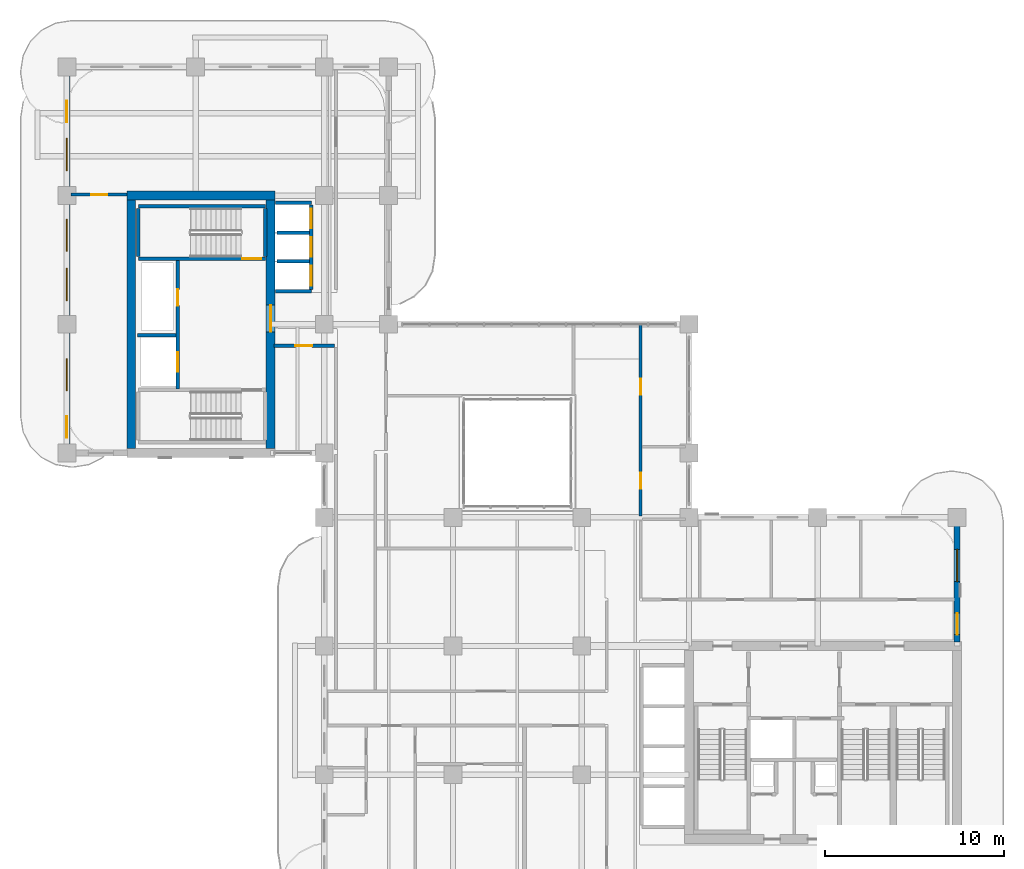
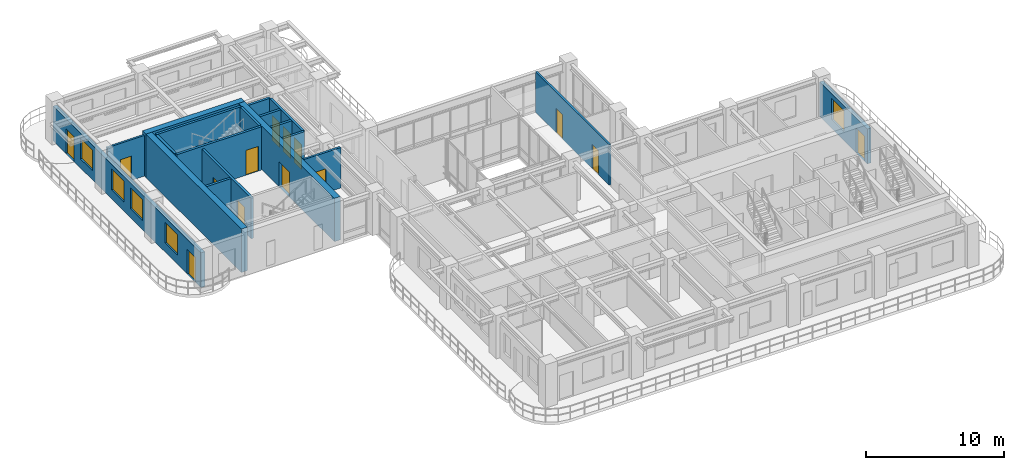
# One storey, part 14 of 20: 19 walls, 14 doors, 5 windows, 19 openings.
"""IFC4 building model written with IfcOpenShell, lengths in metres."""

import ifcopenshell
import ifcopenshell.guid

model = None  # the IFC model being written
_history = None  # IfcOwnerHistory: only IFC2X3 demands one
_inside = {}  # id of a spatial element -> (the spatial element, [elements in it])
_under = {}  # id of a project, library or spatial element -> (it, [spatial elements below it])
_declared = {}  # id of a project -> (the project, [libraries it declares])
_typed = {}  # id of a type object -> (the type object, [elements of that type])
_made_of = {}  # id of a material, layer set ... -> (it, [elements and type objects made of it])


def new_model(schema):
    """Start an empty IFC model of exactly this schema.

    Asked for "IFC4X3", IfcOpenShell would pick the latest addendum, in which some entities
    have other attributes; the version numbers below select the first issue.
    IFC2X3 requires an IfcOwnerHistory on every rooted entity: one is made here for all.
    """
    global model, _history
    if schema == "IFC4X3":
        model = ifcopenshell.file(schema_version=(4, 3, 0, 0))
    else:
        model = ifcopenshell.file(schema=schema)
    _inside.clear()
    _under.clear()
    _declared.clear()
    _typed.clear()
    _made_of.clear()
    _history = None
    if model.schema == "IFC2X3":
        org = make("IfcOrganization", Name="unknown")
        user = make(
            "IfcPersonAndOrganization",
            ThePerson=make("IfcPerson", FamilyName="unknown"),
            TheOrganization=org,
        )
        app = make(
            "IfcApplication",
            ApplicationDeveloper=org,
            Version="unknown",
            ApplicationFullName="unknown",
            ApplicationIdentifier="unknown",
        )
        _history = make(
            "IfcOwnerHistory",
            OwningUser=user,
            OwningApplication=app,
            ChangeAction="ADDED",
            CreationDate=0,
        )
    return model


def make(cls, **values):
    """One entity of the class cls with the attributes given. An attribute that is None is left unset."""
    return model.create_entity(
        cls, **{name: value for name, value in values.items() if value is not None}
    )


def rooted(cls, **values):
    """An entity with a GlobalId (a new one), such as an element, a storey or a relation."""
    return make(cls, GlobalId=ifcopenshell.guid.new(), OwnerHistory=_history, **values)


def si_unit(unit_type, name, prefix=None):
    """IfcSIUnit, for example si_unit("LENGTHUNIT", "METRE", prefix="MILLI")."""
    return make("IfcSIUnit", UnitType=unit_type, Prefix=prefix, Name=name)


def derived_unit(unit_type, elements):
    """IfcDerivedUnit: a product of units, each with its exponent."""
    return make(
        "IfcDerivedUnit",
        Elements=[
            make("IfcDerivedUnitElement", Unit=unit, Exponent=power)
            for unit, power in elements
        ],
        UnitType=unit_type,
    )


def assignment(units):
    """IfcUnitAssignment: the units of a project."""
    return None if units is None else make("IfcUnitAssignment", Units=units)


def point(xyz):
    """IfcCartesianPoint."""
    return None if xyz is None else make("IfcCartesianPoint", Coordinates=xyz)


def direction(xyz):
    """IfcDirection."""
    return None if xyz is None else make("IfcDirection", DirectionRatios=xyz)


def frame(location, z_axis=None, x_axis=None):
    """IfcAxis2Placement3D, a coordinate frame: its origin and axes. An axis left out is left unset."""
    return make(
        "IfcAxis2Placement3D",
        Location=point(location),
        Axis=direction(z_axis),
        RefDirection=direction(x_axis),
    )


def frame_2d(location, x_axis=None):
    """IfcAxis2Placement2D, a coordinate frame in the plane: its origin and x axis."""
    return make(
        "IfcAxis2Placement2D", Location=point(location), RefDirection=direction(x_axis)
    )


def origin():
    """The frame at (0, 0, 0) with its axes left unset."""
    return frame((0.0, 0.0, 0.0))


def place(relative_to, where):
    """IfcLocalPlacement: puts the frame where relative to a parent placement (None: the world)."""
    return make(
        "IfcLocalPlacement", PlacementRelTo=relative_to, RelativePlacement=where
    )


def context(
    kind, dimensions, precision=None, world=None, true_north=None, identifier=None
):
    """IfcGeometricRepresentationContext, for example the 3D "Model" context."""
    return make(
        "IfcGeometricRepresentationContext",
        ContextIdentifier=identifier,
        ContextType=kind,
        CoordinateSpaceDimension=dimensions,
        Precision=precision,
        WorldCoordinateSystem=world,
        TrueNorth=true_north,
    )


def subcontext(parent, identifier, kind, view, scale=None):
    """IfcGeometricRepresentationSubContext, for example "Body" below "Model"."""
    return make(
        "IfcGeometricRepresentationSubContext",
        ContextIdentifier=identifier,
        ContextType=kind,
        ParentContext=parent,
        TargetScale=scale,
        TargetView=view,
    )


def project(units=None, contexts=None):
    """IfcProject with its units and contexts."""
    return rooted(
        "IfcProject",
        Name="project",
        RepresentationContexts=contexts,
        UnitsInContext=assignment(units),
    )


def spatial(cls, under=None, at=None, **own):
    """A site, building, storey or space (cls), placed at a placement, below another one or the project."""
    s = rooted(cls, ObjectPlacement=at, **own)
    if under is not None:
        _under.setdefault(under.id(), (under, []))[1].append(s)
    return s


def profile(cls, at=None, kind="AREA", **sizes):
    """A parametric profile (cls). Its sizes go by their IFC names, for example OverallWidth=200.0."""
    return make(cls, ProfileType=kind, Position=at, **sizes)


def rectangle(**sizes):
    """IfcRectangleProfileDef."""
    return profile("IfcRectangleProfileDef", **sizes)


def extrude(swept, where, along, depth):
    """IfcExtrudedAreaSolid: the profile swept, set in the frame where, extruded along a direction by depth."""
    return make(
        "IfcExtrudedAreaSolid",
        SweptArea=swept,
        Position=where,
        ExtrudedDirection=direction(along),
        Depth=depth,
    )


def shape(context_of_items, identifier, shape_type, items):
    """IfcShapeRepresentation: the items that make up one representation, for example the "Body"."""
    return make(
        "IfcShapeRepresentation",
        ContextOfItems=context_of_items,
        RepresentationIdentifier=identifier,
        RepresentationType=shape_type,
        Items=items,
    )


def source(mapping_origin, context_of_items, identifier, shape_type, items):
    """IfcRepresentationMap: a shape defined once, which mapped items show again and again."""
    return make(
        "IfcRepresentationMap",
        MappingOrigin=mapping_origin,
        MappedRepresentation=shape(context_of_items, identifier, shape_type, items),
    )


def transform(
    local_origin,
    x_axis=None,
    y_axis=None,
    z_axis=None,
    scale=None,
    scale2=None,
    scale3=None,
    uniform=True,
):
    """IfcCartesianTransformationOperator3D, or its non-uniform kind. x_axis, y_axis, z_axis: its Axis1, 2, 3."""
    if uniform:
        return make(
            "IfcCartesianTransformationOperator3D",
            Axis1=direction(x_axis),
            Axis2=direction(y_axis),
            LocalOrigin=point(local_origin),
            Scale=scale,
            Axis3=direction(z_axis),
        )
    return make(
        "IfcCartesianTransformationOperator3DnonUniform",
        Axis1=direction(x_axis),
        Axis2=direction(y_axis),
        LocalOrigin=point(local_origin),
        Scale=scale,
        Axis3=direction(z_axis),
        Scale2=scale2,
        Scale3=scale3,
    )


def mapped(mapping_source, mapping_target):
    """IfcMappedItem: shows the shape of a source again, moved by a transform."""
    return make(
        "IfcMappedItem", MappingSource=mapping_source, MappingTarget=mapping_target
    )


def material(Name=None, Category=None):
    """IfcMaterial."""
    return make("IfcMaterial", Name=Name, Category=Category)


def layer(
    of_material, thickness, ventilated=None, Name=None, Category=None, Priority=None
):
    """IfcMaterialLayer: one layer of a wall or slab, of a material (None: an air gap)."""
    return make(
        "IfcMaterialLayer",
        Material=of_material,
        LayerThickness=thickness,
        IsVentilated=ventilated,
        Name=Name,
        Category=Category,
        Priority=Priority,
    )


def layer_set(layers, Name=None):
    """IfcMaterialLayerSet."""
    return make("IfcMaterialLayerSet", MaterialLayers=layers, LayerSetName=Name)


def made_of(thing, what):
    """Note that an element or type object is made of a material, layer set ...; save() writes the relation."""
    if what is not None:
        _made_of.setdefault(what.id(), (what, []))[1].append(thing)
    return thing


def type_object(cls, material=None, **own):
    """A type object (cls), such as IfcWallType, which elements share."""
    return made_of(rooted(cls, **own), material)


def type_shapes(of_type, sources):
    """Give a type object the sources (RepresentationMaps) that its elements show as mapped items."""
    of_type.RepresentationMaps = sources


def element(
    cls,
    number,
    at=None,
    inside=None,
    cuts=None,
    type_object=None,
    material=None,
    context=None,
    identifier="Body",
    shape_type=None,
    held_by="IfcProductDefinitionShape",
    body=None,
    shapes=None,
    **own,
):
    """One element of the class cls, such as IfcWall. Its Tag is "e" and its number.

    at: its placement. inside: the storey or other place that contains it. cuts: it is an
    opening in that element (IfcRelVoidsElement). A single representation is given by context,
    identifier, shape_type and body (its items); several are given by shapes. held_by: the class
    of the entity that holds the representations. save() writes the other relations.
    """
    e = rooted(cls, Tag="e%d" % number, ObjectPlacement=at, **own)
    if body is not None:
        shapes = [shape(context, identifier, shape_type, body)]
    if shapes is not None:
        e.Representation = make(held_by, Representations=shapes)
    if inside is not None:
        _inside.setdefault(inside.id(), (inside, []))[1].append(e)
    if cuts is not None:
        rooted(
            "IfcRelVoidsElement", RelatingBuildingElement=cuts, RelatedOpeningElement=e
        )
    if type_object is not None:
        _typed.setdefault(type_object.id(), (type_object, []))[1].append(e)
    return made_of(e, material)


def fill(opening, filler):
    """IfcRelFillsElement: the door or window that sits in an opening."""
    return rooted(
        "IfcRelFillsElement",
        RelatingOpeningElement=opening,
        RelatedBuildingElement=filler,
    )


def aggregate(whole, parts):
    """IfcRelAggregates: a whole, such as a stair, and the parts it consists of."""
    return rooted("IfcRelAggregates", RelatingObject=whole, RelatedObjects=parts)


def save(model, path):
    """Write the relations noted so far, then the file.

    IfcRelAggregates (storeys below a building ...), IfcRelContainedInSpatialStructure (elements
    in a storey), IfcRelDefinesByType, IfcRelAssociatesMaterial and IfcRelDeclares: one each for
    every whole, place, type object, material and project.
    """
    for whole, parts in _under.values():
        aggregate(whole, parts)
    for where, things in _inside.values():
        rooted(
            "IfcRelContainedInSpatialStructure",
            RelatedElements=things,
            RelatingStructure=where,
        )
    for kind, things in _typed.values():
        rooted("IfcRelDefinesByType", RelatedObjects=things, RelatingType=kind)
    for what, things in _made_of.values():
        rooted("IfcRelAssociatesMaterial", RelatedObjects=things, RelatingMaterial=what)
    for by, libraries in _declared.values():
        rooted("IfcRelDeclares", RelatingContext=by, RelatedDefinitions=libraries)
    model.write(path)


model = new_model("IFC4")

# Units and contexts
model_context = context("Model", 3, precision=1e-05, world=origin(), true_north=direction((0.0, 1.0)))
body_context = subcontext(model_context, "Body", "Model", "MODEL_VIEW")
ifc_project = project(units=[si_unit("LENGTHUNIT", "METRE"), si_unit("AREAUNIT", "SQUARE_METRE"), si_unit("VOLUMEUNIT", "CUBIC_METRE"), si_unit("PLANEANGLEUNIT", "RADIAN"), si_unit("MASSUNIT", "GRAM", prefix="KILO"), si_unit("THERMODYNAMICTEMPERATUREUNIT", "KELVIN"), si_unit("POWERUNIT", "WATT"), derived_unit("THERMALTRANSMITTANCEUNIT", [(si_unit("POWERUNIT", "WATT"), 1), (si_unit("AREAUNIT", "SQUARE_METRE"), -1), (si_unit("THERMODYNAMICTEMPERATUREUNIT", "KELVIN"), -1)])], contexts=[model_context])

# Site, building, storey
site_placement = place(None, origin())
site = spatial("IfcSite", under=ifc_project, at=site_placement, CompositionType="ELEMENT")
building_placement = place(site_placement, origin())
building = spatial("IfcBuilding", under=site, at=building_placement, Name="Zahravan Archway Hotel and Residences", CompositionType="ELEMENT")
storey_placement = place(building_placement, frame((0.0, 0.0, 154.14990234375)))
storey = spatial("IfcBuildingStorey", under=building, at=storey_placement, Name="L38", CompositionType="ELEMENT", Elevation=154.14990234375)

# Walls
ifc_material_1 = material(Name="Concrete C60/75", Category="concrete")
ifc_layer_1 = layer(ifc_material_1, 0.5, Name="Concrete C60/75", Category="concrete")
ifc_layer_set_1 = layer_set([ifc_layer_1], Name="Concrete C60/75")
wall_type_1 = type_object("IfcWallType", Name="CW-CORE-500", PredefinedType="SHEAR", material=ifc_layer_set_1)
wall_1_placement = place(storey_placement, frame((3.35009765625, 39.60009765625, 0.0), z_axis=(0.0, 0.0, 1.0), x_axis=(1.0, 0.0, 0.0)))
element("IfcWall", 1, at=wall_1_placement, inside=storey, type_object=wall_type_1, Name="L38 Core B Shear N Wall 500 mm", PredefinedType="SHEAR", context=body_context, shape_type="SweptSolid", body=[
    extrude(rectangle(XDim=8.2998046875, YDim=0.5, at=frame_2d((4.14990234375, 0.0))), origin(), (0.0, 0.0, 1.0), 3.85009765625),
])
wall_2_placement = place(storey_placement, frame((3.60009765625, 25.449951171875, 0.0), z_axis=(0.0, 0.0, 1.0), x_axis=(0.0, 1.0, 0.0)))
element("IfcWall", 2, at=wall_2_placement, inside=storey, type_object=wall_type_1, Name="L38 Core B Shear W Wall 500 mm", PredefinedType="SHEAR", context=body_context, shape_type="SweptSolid", body=[
    extrude(rectangle(XDim=13.900146484375, YDim=0.5, at=frame_2d((6.9501953125, 0.0))), origin(), (0.0, 0.0, 1.0), 3.85009765625),
])

# Wall, opening, door
wall_3_placement = place(storey_placement, frame((11.39990234375, 25.449951171875, 0.0), z_axis=(0.0, 0.0, 1.0), x_axis=(0.0, 1.0, 0.0)))
wall_3 = element("IfcWall", 3, at=wall_3_placement, inside=storey, type_object=wall_type_1, Name="L38 Core B Shear E Wall 500 mm", PredefinedType="SHEAR", context=body_context, shape_type="SweptSolid", body=[
    extrude(rectangle(XDim=13.900146484375, YDim=0.5, at=frame_2d((6.9501953125, 0.0))), origin(), (0.0, 0.0, 1.0), 3.85009765625),
])
opening_1_placement = place(wall_3_placement, frame((6.52001953125, 0.0, 0.0)))
opening_1 = element("IfcOpeningElement", 4, at=opening_1_placement, cuts=wall_3, Name="Opening FD-L1", PredefinedType="OPENING", context=body_context, shape_type="SweptSolid", body=[
    extrude(rectangle(XDim=1.5, YDim=2.199951171875, at=frame_2d((0.75, 1.10009765625))), frame((0.0, 0.260009765625, 0.0), z_axis=(0.0, -1.0, 0.0), x_axis=(1.0, 0.0, 0.0)), (0.0, 0.0, 1.0), 0.52001953125),
])
ifc_material_2 = material(Name="Fire-Rated Painted Steel", Category="steel")
door_type_1 = type_object("IfcDoorType", Name="FD-LOBBY-1500", OperationType="DOUBLE_DOOR_SINGLE_SWING", PredefinedType="DOOR", material=ifc_material_2)
shared_shape_1 = source(origin(), body_context, "Body", "SweptSolid", [
    extrude(rectangle(XDim=1.5, YDim=2.199951171875, at=frame_2d((0.75, 1.10009765625))), frame((0.0, 0.02490234375, 0.0), z_axis=(0.0, -1.0, 0.0), x_axis=(1.0, 0.0, 0.0)), (0.0, 0.0, 1.0), 0.050048828125),
])
type_shapes(door_type_1, [shared_shape_1])
door_1_placement = place(opening_1_placement, origin())
door_1 = element("IfcDoor", 5, at=door_1_placement, inside=storey, type_object=door_type_1, Name="L38 Core B FSAE Lobby Door", OperationType="DOUBLE_DOOR_SINGLE_SWING", OverallHeight=2.199951171875, OverallWidth=1.5, PredefinedType="DOOR", context=body_context, shape_type="MappedRepresentation", body=[
    mapped(shared_shape_1, transform((0.0, 0.0, 0.0), scale=1.0)),
])
fill(opening_1, door_1)

# Wall, openings, door, window
ifc_material_3 = material(Name="Agra Buff Sandstone & Insulated Backup", Category="masonry")
ifc_layer_2 = layer(ifc_material_3, 0.320068359375, Name="Agra Buff Sandstone & Insulated Backup", Category="masonry")
ifc_layer_set_2 = layer_set([ifc_layer_2], Name="Agra Buff Sandstone & Insulated Backup")
wall_type_2 = type_object("IfcWallType", Name="EW-SAND-320", PredefinedType="SOLIDWALL", material=ifc_layer_set_2)
wall_4_placement = place(storey_placement, frame((49.800048828125, 14.6201171875, 0.0), z_axis=(0.0, 0.0, 1.0), x_axis=(0.0, 1.0, 0.0)))
wall_4 = element("IfcWall", 6, at=wall_4_placement, inside=storey, type_object=wall_type_2, Name="L38 Exterior Sandstone Wall WA-EN", PredefinedType="SOLIDWALL", context=body_context, shape_type="SweptSolid", body=[
    extrude(rectangle(XDim=6.929931640625, YDim=0.320068359375, at=frame_2d((3.46484375, 0.0))), origin(), (0.0, 0.0, 1.0), 3.085205078125),
])
opening_2_placement = place(wall_4_placement, frame((0.419921875, 0.0, 0.0)))
opening_2 = element("IfcOpeningElement", 7, at=opening_2_placement, cuts=wall_4, Name="Opening ED-BL1", PredefinedType="OPENING", context=body_context, shape_type="SweptSolid", body=[
    extrude(rectangle(XDim=1.199951171875, YDim=2.199951171875, at=frame_2d((0.60009765625, 1.10009765625))), frame((0.0, 0.169921875, 0.0), z_axis=(0.0, -1.0, 0.0), x_axis=(1.0, 0.0, 0.0)), (0.0, 0.0, 1.0), 0.340087890625),
])
opening_3_placement = place(wall_4_placement, frame((3.384033203125, 0.0, 0.800048828125)))
opening_3 = element("IfcOpeningElement", 8, at=opening_3_placement, cuts=wall_4, Name="Opening W-02", PredefinedType="OPENING", context=body_context, shape_type="SweptSolid", body=[
    extrude(rectangle(XDim=1.800048828125, YDim=1.85009765625, at=frame_2d((0.89990234375, 0.925048828125))), frame((0.0, 0.169921875, 0.0), z_axis=(0.0, -1.0, 0.0), x_axis=(1.0, 0.0, 0.0)), (0.0, 0.0, 1.0), 0.340087890625),
])
ifc_material_4 = material(Name="Bronze-Anodized Glazed Aluminium", Category="aluminium")
door_type_2 = type_object("IfcDoorType", Name="ED-BALC-1200", OperationType="SLIDING_TO_LEFT", PredefinedType="DOOR", material=ifc_material_4)
shared_shape_2 = source(origin(), body_context, "Body", "SweptSolid", [
    extrude(rectangle(XDim=1.199951171875, YDim=2.199951171875, at=frame_2d((0.60009765625, 1.10009765625))), frame((0.0, 0.02490234375, 0.0), z_axis=(0.0, -1.0, 0.0), x_axis=(1.0, 0.0, 0.0)), (0.0, 0.0, 1.0), 0.050048828125),
])
type_shapes(door_type_2, [shared_shape_2])
door_2_placement = place(opening_2_placement, origin())
door_2 = element("IfcDoor", 9, at=door_2_placement, inside=storey, type_object=door_type_2, Name="L38 Outdoor Access Sliding Door (SLB-BAL-L38-EA)", OperationType="SLIDING_TO_LEFT", OverallHeight=2.199951171875, OverallWidth=1.199951171875, PredefinedType="DOOR", context=body_context, shape_type="MappedRepresentation", body=[
    mapped(shared_shape_2, transform((0.0, 0.0, 0.0), scale=1.0)),
])
fill(opening_2, door_2)
ifc_material_5 = material(Name="Bronze-Anodized Thermal-Break Aluminium & Low-E Glass", Category="aluminium")
window_type = type_object("IfcWindowType", Name="WIN-TWR-1800", PartitioningType="DOUBLE_PANEL_VERTICAL", PredefinedType="WINDOW", material=ifc_material_5)
shared_shape_3 = source(origin(), body_context, "Body", "SweptSolid", [
    extrude(rectangle(XDim=1.800048828125, YDim=1.85009765625, at=frame_2d((0.89990234375, 0.925048828125))), frame((0.0, 0.030029296875, 0.0), z_axis=(0.0, -1.0, 0.0), x_axis=(1.0, 0.0, 0.0)), (0.0, 0.0, 1.0), 0.06005859375),
])
type_shapes(window_type, [shared_shape_3])
window_1_placement = place(opening_3_placement, origin())
window_1 = element("IfcWindow", 10, at=window_1_placement, inside=storey, type_object=window_type, Name="L38 Loggia Window 10", OverallHeight=1.85009765625, OverallWidth=1.800048828125, PartitioningType="DOUBLE_PANEL_VERTICAL", PredefinedType="WINDOW", context=body_context, shape_type="MappedRepresentation", body=[
    mapped(shared_shape_3, transform((0.0, 0.0, 0.0), scale=1.0)),
])
fill(opening_3, window_1)

# Wall, openings, doors, windows
wall_5_placement = place(storey_placement, frame((0.0, 25.25, 0.0), z_axis=(0.0, 0.0, 1.0), x_axis=(0.0, 1.0, 0.0)))
wall_5 = element("IfcWall", 11, at=wall_5_placement, inside=storey, type_object=wall_type_2, Name="L38 Exterior Sandstone Wall WB-W", PredefinedType="SOLIDWALL", context=body_context, shape_type="SweptSolid", body=[
    extrude(rectangle(XDim=21.5, YDim=0.320068359375, at=frame_2d((10.75, 0.0))), origin(), (0.0, 0.0, 1.0), 3.085205078125),
])
opening_4_placement = place(wall_5_placement, frame((18.449951171875, 0.0, 0.0)))
opening_4 = element("IfcOpeningElement", 12, at=opening_4_placement, cuts=wall_5, Name="Opening ED-BL1", PredefinedType="OPENING", context=body_context, shape_type="SweptSolid", body=[
    extrude(rectangle(XDim=1.199951171875, YDim=2.199951171875, at=frame_2d((0.60009765625, 1.10009765625))), frame((0.0, 0.169921875, 0.0), z_axis=(0.0, -1.0, 0.0), x_axis=(1.0, 0.0, 0.0)), (0.0, 0.0, 1.0), 0.340087890625),
])
opening_5_placement = place(wall_5_placement, frame((0.800048828125, 0.0, 0.0)))
opening_5 = element("IfcOpeningElement", 13, at=opening_5_placement, cuts=wall_5, Name="Opening ED-BL1", PredefinedType="OPENING", context=body_context, shape_type="SweptSolid", body=[
    extrude(rectangle(XDim=1.199951171875, YDim=2.199951171875, at=frame_2d((0.60009765625, 1.10009765625))), frame((0.0, 0.169921875, 0.0), z_axis=(0.0, -1.0, 0.0), x_axis=(1.0, 0.0, 0.0)), (0.0, 0.0, 1.0), 0.340087890625),
])
opening_6_placement = place(wall_5_placement, frame((3.425048828125, 0.0, 0.800048828125)))
opening_6 = element("IfcOpeningElement", 14, at=opening_6_placement, cuts=wall_5, Name="Opening W-02", PredefinedType="OPENING", context=body_context, shape_type="SweptSolid", body=[
    extrude(rectangle(XDim=1.800048828125, YDim=1.85009765625, at=frame_2d((0.89990234375, 0.925048828125))), frame((0.0, 0.169921875, 0.0), z_axis=(0.0, -1.0, 0.0), x_axis=(1.0, 0.0, 0.0)), (0.0, 0.0, 1.0), 0.340087890625),
])
opening_7_placement = place(wall_5_placement, frame((8.47509765625, 0.0, 0.800048828125)))
opening_7 = element("IfcOpeningElement", 15, at=opening_7_placement, cuts=wall_5, Name="Opening W-02", PredefinedType="OPENING", context=body_context, shape_type="SweptSolid", body=[
    extrude(rectangle(XDim=1.800048828125, YDim=1.85009765625, at=frame_2d((0.89990234375, 0.925048828125))), frame((0.0, 0.169921875, 0.0), z_axis=(0.0, -1.0, 0.0), x_axis=(1.0, 0.0, 0.0)), (0.0, 0.0, 1.0), 0.340087890625),
])
opening_8_placement = place(wall_5_placement, frame((11.22509765625, 0.0, 0.800048828125)))
opening_8 = element("IfcOpeningElement", 16, at=opening_8_placement, cuts=wall_5, Name="Opening W-02", PredefinedType="OPENING", context=body_context, shape_type="SweptSolid", body=[
    extrude(rectangle(XDim=1.800048828125, YDim=1.85009765625, at=frame_2d((0.89990234375, 0.925048828125))), frame((0.0, 0.169921875, 0.0), z_axis=(0.0, -1.0, 0.0), x_axis=(1.0, 0.0, 0.0)), (0.0, 0.0, 1.0), 0.340087890625),
])
opening_9_placement = place(wall_5_placement, frame((15.75, 0.0, 0.800048828125)))
opening_9 = element("IfcOpeningElement", 17, at=opening_9_placement, cuts=wall_5, Name="Opening W-02", PredefinedType="OPENING", context=body_context, shape_type="SweptSolid", body=[
    extrude(rectangle(XDim=1.800048828125, YDim=1.85009765625, at=frame_2d((0.89990234375, 0.925048828125))), frame((0.0, 0.169921875, 0.0), z_axis=(0.0, -1.0, 0.0), x_axis=(1.0, 0.0, 0.0)), (0.0, 0.0, 1.0), 0.340087890625),
])
door_3_placement = place(opening_4_placement, origin())
door_3 = element("IfcDoor", 18, at=door_3_placement, inside=storey, type_object=door_type_2, Name="L38 Outdoor Access Sliding Door (SLB-BAL-L38-NB)", OperationType="SLIDING_TO_LEFT", OverallHeight=2.199951171875, OverallWidth=1.199951171875, PredefinedType="DOOR", context=body_context, shape_type="MappedRepresentation", body=[
    mapped(shared_shape_2, transform((0.0, 0.0, 0.0), scale=1.0)),
])
fill(opening_4, door_3)
door_4_placement = place(opening_5_placement, origin())
door_4 = element("IfcDoor", 19, at=door_4_placement, inside=storey, type_object=door_type_2, Name="L38 Outdoor Access Sliding Door (SLB-BAL-L38-WB)", OperationType="SLIDING_TO_LEFT", OverallHeight=2.199951171875, OverallWidth=1.199951171875, PredefinedType="DOOR", context=body_context, shape_type="MappedRepresentation", body=[
    mapped(shared_shape_2, transform((0.0, 0.0, 0.0), scale=1.0)),
])
fill(opening_5, door_4)
window_2_placement = place(opening_6_placement, origin())
window_2 = element("IfcWindow", 20, at=window_2_placement, inside=storey, type_object=window_type, Name="L38 Loggia Window 22", OverallHeight=1.85009765625, OverallWidth=1.800048828125, PartitioningType="DOUBLE_PANEL_VERTICAL", PredefinedType="WINDOW", context=body_context, shape_type="MappedRepresentation", body=[
    mapped(shared_shape_3, transform((0.0, 0.0, 0.0), scale=1.0)),
])
fill(opening_6, window_2)
window_3_placement = place(opening_7_placement, origin())
window_3 = element("IfcWindow", 21, at=window_3_placement, inside=storey, type_object=window_type, Name="L38 Loggia Window 23", OverallHeight=1.85009765625, OverallWidth=1.800048828125, PartitioningType="DOUBLE_PANEL_VERTICAL", PredefinedType="WINDOW", context=body_context, shape_type="MappedRepresentation", body=[
    mapped(shared_shape_3, transform((0.0, 0.0, 0.0), scale=1.0)),
])
fill(opening_7, window_3)
window_4_placement = place(opening_8_placement, origin())
window_4 = element("IfcWindow", 22, at=window_4_placement, inside=storey, type_object=window_type, Name="L38 Loggia Window 24", OverallHeight=1.85009765625, OverallWidth=1.800048828125, PartitioningType="DOUBLE_PANEL_VERTICAL", PredefinedType="WINDOW", context=body_context, shape_type="MappedRepresentation", body=[
    mapped(shared_shape_3, transform((0.0, 0.0, 0.0), scale=1.0)),
])
fill(opening_8, window_4)
window_5_placement = place(opening_9_placement, origin())
window_5 = element("IfcWindow", 23, at=window_5_placement, inside=storey, type_object=window_type, Name="L38 Loggia Window 25", OverallHeight=1.85009765625, OverallWidth=1.800048828125, PartitioningType="DOUBLE_PANEL_VERTICAL", PredefinedType="WINDOW", context=body_context, shape_type="MappedRepresentation", body=[
    mapped(shared_shape_3, transform((0.0, 0.0, 0.0), scale=1.0)),
])
fill(opening_9, window_5)

# Wall, openings, doors
ifc_material_6 = material(Name="Fire-Rated Gypsum & Concrete Block", Category="concrete")
ifc_layer_3 = layer(ifc_material_6, 0.199951171875, Name="Fire-Rated Gypsum & Concrete Block", Category="concrete")
ifc_layer_set_3 = layer_set([ifc_layer_3], Name="Fire-Rated Gypsum & Concrete Block")
wall_type_3 = type_object("IfcWallType", Name="PW-SHAFT-200", PredefinedType="PARTITIONING", material=ifc_layer_set_3)
wall_6_placement = place(storey_placement, frame((6.199951171875, 28.7900390625, 0.0), z_axis=(0.0, 0.0, 1.0), x_axis=(0.0, 1.0, 0.0)))
wall_6 = element("IfcWall", 24, at=wall_6_placement, inside=storey, type_object=wall_type_3, Name="L38 Partition CB-FL3E", PredefinedType="PARTITIONING", context=body_context, shape_type="SweptSolid", body=[
    extrude(rectangle(XDim=7.219970703125, YDim=0.199951171875, at=frame_2d((3.60986328125, 0.0))), origin(), (0.0, 0.0, 1.0), 3.60009765625),
])
opening_10_placement = place(wall_6_placement, frame((4.659912109375, 0.0, 0.0)))
opening_10 = element("IfcOpeningElement", 25, at=opening_10_placement, cuts=wall_6, Name="Opening FD-R1", PredefinedType="OPENING", context=body_context, shape_type="SweptSolid", body=[
    extrude(rectangle(XDim=0.89990234375, YDim=2.10009765625, at=frame_2d((0.449951171875, 1.050048828125))), frame((0.0, 0.10986328125, 0.0), z_axis=(0.0, -1.0, 0.0), x_axis=(1.0, 0.0, 0.0)), (0.0, 0.0, 1.0), 0.219970703125),
])
opening_11_placement = place(wall_6_placement, frame((0.9599609375, 0.0, 0.0)))
opening_11 = element("IfcOpeningElement", 26, at=opening_11_placement, cuts=wall_6, Name="Opening LD", PredefinedType="OPENING", context=body_context, shape_type="SweptSolid", body=[
    extrude(rectangle(XDim=1.10009765625, YDim=2.199951171875, at=frame_2d((0.550048828125, 1.10009765625))), frame((0.0, 0.10986328125, 0.0), z_axis=(0.0, -1.0, 0.0), x_axis=(1.0, 0.0, 0.0)), (0.0, 0.0, 1.0), 0.219970703125),
])
door_type_3 = type_object("IfcDoorType", Name="FD-RISER-900", OperationType="NOTDEFINED", PredefinedType="DOOR", material=ifc_material_2)
shared_shape_4 = source(origin(), body_context, "Body", "SweptSolid", [
    extrude(rectangle(XDim=0.89990234375, YDim=2.10009765625, at=frame_2d((0.449951171875, 1.050048828125))), frame((0.0, 0.02490234375, 0.0), z_axis=(0.0, -1.0, 0.0), x_axis=(1.0, 0.0, 0.0)), (0.0, 0.0, 1.0), 0.050048828125),
])
type_shapes(door_type_3, [shared_shape_4])
door_5_placement = place(opening_10_placement, origin())
door_5 = element("IfcDoor", 27, at=door_5_placement, inside=storey, type_object=door_type_3, Name="L38 Core B Riser Door", OperationType="SINGLE_SWING_RIGHT", OverallHeight=2.10009765625, OverallWidth=0.89990234375, PredefinedType="DOOR", context=body_context, shape_type="MappedRepresentation", body=[
    mapped(shared_shape_4, transform((0.0, 0.0, 0.0), scale=1.0)),
])
fill(opening_10, door_5)
ifc_material_7 = material(Name="Brushed Stainless Steel", Category="steel")
door_type_4 = type_object("IfcDoorType", Name="DR-LIFT-LD", OperationType="SLIDING_TO_LEFT", PredefinedType="DOOR", material=ifc_material_7)
shared_shape_5 = source(origin(), body_context, "Body", "SweptSolid", [
    extrude(rectangle(XDim=1.10009765625, YDim=2.199951171875, at=frame_2d((0.550048828125, 1.10009765625))), frame((0.0, 0.02490234375, 0.0), z_axis=(0.0, -1.0, 0.0), x_axis=(1.0, 0.0, 0.0)), (0.0, 0.0, 1.0), 0.050048828125),
])
type_shapes(door_type_4, [shared_shape_5])
door_6_placement = place(opening_11_placement, origin())
door_6 = element("IfcDoor", 28, at=door_6_placement, inside=storey, type_object=door_type_4, Name="L38 Lift FL-3 Sliding Landing Door", OperationType="SLIDING_TO_LEFT", OverallHeight=2.199951171875, OverallWidth=1.10009765625, PredefinedType="DOOR", context=body_context, shape_type="MappedRepresentation", body=[
    mapped(shared_shape_5, transform((0.0, 0.0, 0.0), scale=1.0)),
])
fill(opening_11, door_6)

# Walls
wall_7_placement = place(storey_placement, frame((3.9599609375, 31.780029296875, 0.0), z_axis=(0.0, 0.0, 1.0), x_axis=(1.0, 0.0, 0.0)))
element("IfcWall", 29, at=wall_7_placement, inside=storey, type_object=wall_type_3, Name="L38 Partition CB-FL3N", PredefinedType="PARTITIONING", context=body_context, shape_type="SweptSolid", body=[
    extrude(rectangle(XDim=2.130126953125, YDim=0.199951171875, at=frame_2d((1.06494140625, 0.0))), origin(), (0.0, 0.0, 1.0), 3.60009765625),
])
for number, where, z_axis, x_axis, name in (
    (30, (11.659912109375, 34.25, 0.0), (0.0, 0.0, 1.0), (1.0, 0.0, 0.0), "L38 Partition B2-S"),
    (31, (11.659912109375, 39.18994140625, 0.0), (0.0, 0.0, 1.0), (1.0, 0.0, 0.0), "L38 Partition B2-N"),
):
    element("IfcWall", number, at=place(storey_placement, frame(where, z_axis=z_axis, x_axis=x_axis)), inside=storey, type_object=wall_type_3, Name=name, PredefinedType="PARTITIONING", context=body_context, shape_type="SweptSolid", body=[
        extrude(rectangle(XDim=2.010009765625, YDim=0.199951171875, at=frame_2d((1.0048828125, 0.0))), origin(), (0.0, 0.0, 1.0), 3.60009765625),
    ])

# Wall, openings, doors
wall_8_placement = place(storey_placement, frame((13.679931640625, 34.360107421875, 0.0), z_axis=(0.0, 0.0, 1.0), x_axis=(0.0, 1.0, 0.0)))
wall_8 = element("IfcWall", 32, at=wall_8_placement, inside=storey, type_object=wall_type_3, Name="L38 Partition B2-E", PredefinedType="PARTITIONING", context=body_context, shape_type="SweptSolid", body=[
    extrude(rectangle(XDim=4.719970703125, YDim=0.199951171875, at=frame_2d((2.35986328125, 0.0))), origin(), (0.0, 0.0, 1.0), 3.60009765625),
])
opening_12_placement = place(wall_8_placement, frame((0.2099609375, 0.0, 0.0)))
opening_12 = element("IfcOpeningElement", 33, at=opening_12_placement, cuts=wall_8, Name="Opening LD", PredefinedType="OPENING", context=body_context, shape_type="SweptSolid", body=[
    extrude(rectangle(XDim=1.10009765625, YDim=2.199951171875, at=frame_2d((0.550048828125, 1.10009765625))), frame((0.0, 0.10986328125, 0.0), z_axis=(0.0, -1.0, 0.0), x_axis=(1.0, 0.0, 0.0)), (0.0, 0.0, 1.0), 0.219970703125),
])
opening_13_placement = place(wall_8_placement, frame((1.81005859375, 0.0, 0.0)))
opening_13 = element("IfcOpeningElement", 34, at=opening_13_placement, cuts=wall_8, Name="Opening LD", PredefinedType="OPENING", context=body_context, shape_type="SweptSolid", body=[
    extrude(rectangle(XDim=1.10009765625, YDim=2.199951171875, at=frame_2d((0.550048828125, 1.10009765625))), frame((0.0, 0.10986328125, 0.0), z_axis=(0.0, -1.0, 0.0), x_axis=(1.0, 0.0, 0.0)), (0.0, 0.0, 1.0), 0.219970703125),
])
opening_14_placement = place(wall_8_placement, frame((3.409912109375, 0.0, 0.0)))
opening_14 = element("IfcOpeningElement", 35, at=opening_14_placement, cuts=wall_8, Name="Opening LD", PredefinedType="OPENING", context=body_context, shape_type="SweptSolid", body=[
    extrude(rectangle(XDim=1.10009765625, YDim=2.199951171875, at=frame_2d((0.550048828125, 1.10009765625))), frame((0.0, 0.10986328125, 0.0), z_axis=(0.0, -1.0, 0.0), x_axis=(1.0, 0.0, 0.0)), (0.0, 0.0, 1.0), 0.219970703125),
])
door_7_placement = place(opening_12_placement, origin())
door_7 = element("IfcDoor", 36, at=door_7_placement, inside=storey, type_object=door_type_4, Name="L38 Lift LP-4 Sliding Landing Door", OperationType="SLIDING_TO_LEFT", OverallHeight=2.199951171875, OverallWidth=1.10009765625, PredefinedType="DOOR", context=body_context, shape_type="MappedRepresentation", body=[
    mapped(shared_shape_5, transform((0.0, 0.0, 0.0), scale=1.0)),
])
fill(opening_12, door_7)
door_8_placement = place(opening_13_placement, origin())
door_8 = element("IfcDoor", 37, at=door_8_placement, inside=storey, type_object=door_type_4, Name="L38 Lift LP-5 Sliding Landing Door", OperationType="SLIDING_TO_LEFT", OverallHeight=2.199951171875, OverallWidth=1.10009765625, PredefinedType="DOOR", context=body_context, shape_type="MappedRepresentation", body=[
    mapped(shared_shape_5, transform((0.0, 0.0, 0.0), scale=1.0)),
])
fill(opening_13, door_8)
door_9_placement = place(opening_14_placement, origin())
door_9 = element("IfcDoor", 38, at=door_9_placement, inside=storey, type_object=door_type_4, Name="L38 Lift LP-6 Sliding Landing Door", OperationType="SLIDING_TO_LEFT", OverallHeight=2.199951171875, OverallWidth=1.10009765625, PredefinedType="DOOR", context=body_context, shape_type="MappedRepresentation", body=[
    mapped(shared_shape_5, transform((0.0, 0.0, 0.0), scale=1.0)),
])
fill(opening_14, door_9)

# Walls
for number, where, z_axis, x_axis, name in (
    (39, (11.760009765625, 35.919921875, 0.0), (0.0, 0.0, 1.0), (1.0, 0.0, 0.0), "L38 Partition B2-D"),
    (40, (11.760009765625, 37.52001953125, 0.0), (0.0, 0.0, 1.0), (1.0, 0.0, 0.0), "L38 Partition B2-D"),
):
    element("IfcWall", number, at=place(storey_placement, frame(where, z_axis=z_axis, x_axis=x_axis)), inside=storey, type_object=wall_type_3, Name=name, PredefinedType="PARTITIONING", context=body_context, shape_type="SweptSolid", body=[
        extrude(rectangle(XDim=1.81005859375, YDim=0.199951171875, at=frame_2d((0.905029296875, 0.0))), origin(), (0.0, 0.0, 1.0), 3.60009765625),
    ])

# Wall, opening, door
ifc_material_8 = material(Name="Acoustic Stud Partition")
ifc_layer_4 = layer(ifc_material_8, 0.169921875, Name="Acoustic Stud Partition")
ifc_layer_set_4 = layer_set([ifc_layer_4], Name="Acoustic Stud Partition")
wall_type_4 = type_object("IfcWallType", Name="PW-UNIT-170", PredefinedType="PARTITIONING", material=ifc_layer_set_4)
wall_9_placement = place(storey_placement, frame((0.239990234375, 39.64990234375, 0.0), z_axis=(0.0, 0.0, 1.0), x_axis=(1.0, 0.0, 0.0)))
wall_9 = element("IfcWall", 41, at=wall_9_placement, inside=storey, type_object=wall_type_4, Name="L38 Partition WBW-N", PredefinedType="PARTITIONING", context=body_context, shape_type="SweptSolid", body=[
    extrude(rectangle(XDim=3.1201171875, YDim=0.169921875, at=frame_2d((1.56005859375, 0.0))), origin(), (0.0, 0.0, 1.0), 3.60009765625),
])
opening_15_placement = place(wall_9_placement, frame((1.110107421875, 0.0, 0.0)))
opening_15 = element("IfcOpeningElement", 42, at=opening_15_placement, cuts=wall_9, Name="Opening D-I2", PredefinedType="OPENING", context=body_context, shape_type="SweptSolid", body=[
    extrude(rectangle(XDim=0.89990234375, YDim=2.14990234375, at=frame_2d((0.449951171875, 1.074951171875))), frame((0.0, 0.094970703125, 0.0), z_axis=(0.0, -1.0, 0.0), x_axis=(1.0, 0.0, 0.0)), (0.0, 0.0, 1.0), 0.18994140625),
])
ifc_material_9 = material(Name="Hardwood Veneer Timber", Category="wood")
door_type_5 = type_object("IfcDoorType", Name="ID-INT-900", OperationType="NOTDEFINED", PredefinedType="DOOR", material=ifc_material_9)
shared_shape_6 = source(origin(), body_context, "Body", "SweptSolid", [
    extrude(rectangle(XDim=0.89990234375, YDim=2.14990234375, at=frame_2d((0.449951171875, 1.074951171875))), frame((0.0, 0.02490234375, 0.0), z_axis=(0.0, -1.0, 0.0), x_axis=(1.0, 0.0, 0.0)), (0.0, 0.0, 1.0), 0.050048828125),
])
type_shapes(door_type_5, [shared_shape_6])
door_10_placement = place(opening_15_placement, origin())
door_10 = element("IfcDoor", 43, at=door_10_placement, inside=storey, type_object=door_type_5, Name="L38 West Loggia Salon Door", OperationType="SINGLE_SWING_RIGHT", OverallHeight=2.14990234375, OverallWidth=0.89990234375, PredefinedType="DOOR", context=body_context, shape_type="MappedRepresentation", body=[
    mapped(shared_shape_6, transform((0.0, 0.0, 0.0), scale=1.0)),
])
fill(opening_15, door_10)

wall_10_placement = place(storey_placement, frame((11.590087890625, 31.199951171875, 0.0), z_axis=(0.0, 0.0, 1.0), x_axis=(1.0, 0.0, 0.0)))
wall_10 = element("IfcWall", 44, at=wall_10_placement, inside=storey, type_object=wall_type_4, Name="L38 Partition FB1-N", PredefinedType="PARTITIONING", context=body_context, shape_type="SweptSolid", body=[
    extrude(rectangle(XDim=3.369873046875, YDim=0.169921875, at=frame_2d((1.68505859375, 0.0))), origin(), (0.0, 0.0, 1.0), 3.60009765625),
])
opening_16_placement = place(wall_10_placement, frame((1.18505859375, 0.0, 0.0)))
opening_16 = element("IfcOpeningElement", 45, at=opening_16_placement, cuts=wall_10, Name="Opening D-I1", PredefinedType="OPENING", context=body_context, shape_type="SweptSolid", body=[
    extrude(rectangle(XDim=0.949951171875, YDim=2.14990234375, at=frame_2d((0.47509765625, 1.074951171875))), frame((0.0, 0.094970703125, 0.0), z_axis=(0.0, -1.0, 0.0), x_axis=(1.0, 0.0, 0.0)), (0.0, 0.0, 1.0), 0.18994140625),
])
door_type_6 = type_object("IfcDoorType", Name="ID-INT-950", OperationType="NOTDEFINED", PredefinedType="DOOR", material=ifc_material_9)
shared_shape_7 = source(origin(), body_context, "Body", "SweptSolid", [
    extrude(rectangle(XDim=0.949951171875, YDim=2.14990234375, at=frame_2d((0.47509765625, 1.074951171875))), frame((0.0, 0.02490234375, 0.0), z_axis=(0.0, -1.0, 0.0), x_axis=(1.0, 0.0, 0.0)), (0.0, 0.0, 1.0), 0.050048828125),
])
type_shapes(door_type_6, [shared_shape_7])
door_11_placement = place(opening_16_placement, origin())
door_11 = element("IfcDoor", 46, at=door_11_placement, inside=storey, type_object=door_type_6, Name="L38 Freed Bank 1 Reading Salon Door", OperationType="SINGLE_SWING_LEFT", OverallHeight=2.14990234375, OverallWidth=0.949951171875, PredefinedType="DOOR", context=body_context, shape_type="MappedRepresentation", body=[
    mapped(shared_shape_7, transform((0.0, 0.0, 0.0), scale=1.0)),
])
fill(opening_16, door_11)

# Wall, openings, doors
wall_11_placement = place(storey_placement, frame((32.10009765625, 21.669921875, 0.0), z_axis=(0.0, 0.0, 1.0), x_axis=(0.0, 1.0, 0.0)))
wall_11 = element("IfcWall", 47, at=wall_11_placement, inside=storey, type_object=wall_type_4, Name="L38 Partition ATR-E", PredefinedType="PARTITIONING", context=body_context, shape_type="SweptSolid", body=[
    extrude(rectangle(XDim=10.7021484375, YDim=0.169921875, at=frame_2d((5.35107421875, 0.0))), origin(), (0.0, 0.0, 1.0), 3.60009765625),
])
opening_17_placement = place(wall_11_placement, frame((1.530029296875, 0.0, 0.0)))
opening_17 = element("IfcOpeningElement", 48, at=opening_17_placement, cuts=wall_11, Name="Opening D-I2", PredefinedType="OPENING", context=body_context, shape_type="SweptSolid", body=[
    extrude(rectangle(XDim=0.89990234375, YDim=2.14990234375, at=frame_2d((0.449951171875, 1.074951171875))), frame((0.0, 0.094970703125, 0.0), z_axis=(0.0, -1.0, 0.0), x_axis=(1.0, 0.0, 0.0)), (0.0, 0.0, 1.0), 0.18994140625),
])
opening_18_placement = place(wall_11_placement, frame((6.780029296875, 0.0, 0.0)))
opening_18 = element("IfcOpeningElement", 49, at=opening_18_placement, cuts=wall_11, Name="Opening D-I2", PredefinedType="OPENING", context=body_context, shape_type="SweptSolid", body=[
    extrude(rectangle(XDim=0.89990234375, YDim=2.14990234375, at=frame_2d((0.449951171875, 1.074951171875))), frame((0.0, 0.094970703125, 0.0), z_axis=(0.0, -1.0, 0.0), x_axis=(1.0, 0.0, 0.0)), (0.0, 0.0, 1.0), 0.18994140625),
])
door_12_placement = place(opening_17_placement, origin())
door_12 = element("IfcDoor", 50, at=door_12_placement, inside=storey, type_object=door_type_5, Name="L38 Atrium Office Door", OperationType="SINGLE_SWING_LEFT", OverallHeight=2.14990234375, OverallWidth=0.89990234375, PredefinedType="DOOR", context=body_context, shape_type="MappedRepresentation", body=[
    mapped(shared_shape_6, transform((0.0, 0.0, 0.0), scale=1.0)),
])
fill(opening_17, door_12)
door_13_placement = place(opening_18_placement, origin())
door_13 = element("IfcDoor", 51, at=door_13_placement, inside=storey, type_object=door_type_5, Name="L38 Atrium Boardroom Door", OperationType="SINGLE_SWING_RIGHT", OverallHeight=2.14990234375, OverallWidth=0.89990234375, PredefinedType="DOOR", context=body_context, shape_type="MappedRepresentation", body=[
    mapped(shared_shape_6, transform((0.0, 0.0, 0.0), scale=1.0)),
])
fill(opening_18, door_13)

# Walls
ifc_material_10 = material(Name="Concrete C50/60", Category="concrete")
ifc_layer_5 = layer(ifc_material_10, 0.199951171875, Name="Concrete C50/60", Category="concrete")
ifc_layer_set_5 = layer_set([ifc_layer_5], Name="Concrete C50/60")
wall_type_5 = type_object("IfcWallType", Name="SW-STAIR-200", PredefinedType="SHEAR", material=ifc_layer_set_5)
wall_12_placement = place(storey_placement, frame((4.0, 39.0, 0.0), z_axis=(0.0, 0.0, 1.0), x_axis=(1.0, 0.0, 0.0)))
element("IfcWall", 52, at=wall_12_placement, inside=storey, type_object=wall_type_5, Name="L38 Stairwell RC Wall CB-SB2N", PredefinedType="SHEAR", context=body_context, shape_type="SweptSolid", body=[
    extrude(rectangle(XDim=7.10009765625, YDim=0.199951171875, at=frame_2d((3.550048828125, 0.0))), origin(), (0.0, 0.0, 1.0), 3.85009765625),
])
for number, where, z_axis, x_axis, name in (
    (53, (4.0, 36.179931640625, 0.0), (0.0, 0.0, 1.0), (0.0, 1.0, 0.0), "L38 Stairwell RC Wall CB-SB2W"),
    (54, (11.10009765625, 36.179931640625, 0.0), (0.0, 0.0, 1.0), (0.0, 1.0, 0.0), "L38 Stairwell RC Wall CB-SB2E"),
):
    element("IfcWall", number, at=place(storey_placement, frame(where, z_axis=z_axis, x_axis=x_axis)), inside=storey, type_object=wall_type_5, Name=name, PredefinedType="SHEAR", context=body_context, shape_type="SweptSolid", body=[
        extrude(rectangle(XDim=2.699951171875, YDim=0.199951171875, at=frame_2d((1.35009765625, 0.0))), origin(), (0.0, 0.0, 1.0), 3.85009765625),
    ])

# Wall, opening, door
wall_13_placement = place(storey_placement, frame((4.0, 36.06005859375, 0.0), z_axis=(0.0, 0.0, 1.0), x_axis=(1.0, 0.0, 0.0)))
wall_13 = element("IfcWall", 55, at=wall_13_placement, inside=storey, type_object=wall_type_5, Name="L38 Stairwell RC Wall CB-SB2S", PredefinedType="SHEAR", context=body_context, shape_type="SweptSolid", body=[
    extrude(rectangle(XDim=7.10009765625, YDim=0.199951171875, at=frame_2d((3.550048828125, 0.0))), origin(), (0.0, 0.0, 1.0), 3.85009765625),
])
opening_19_placement = place(wall_13_placement, frame((5.81494140625, 0.0, 0.0)))
opening_19 = element("IfcOpeningElement", 56, at=opening_19_placement, cuts=wall_13, Name="Opening FD-S1", PredefinedType="OPENING", context=body_context, shape_type="SweptSolid", body=[
    extrude(rectangle(XDim=1.050048828125, YDim=2.199951171875, at=frame_2d((0.52490234375, 1.10009765625))), frame((0.0, 0.10986328125, 0.0), z_axis=(0.0, -1.0, 0.0), x_axis=(1.0, 0.0, 0.0)), (0.0, 0.0, 1.0), 0.219970703125),
])
door_type_7 = type_object("IfcDoorType", Name="FD-STAIR-1100", OperationType="NOTDEFINED", PredefinedType="DOOR", material=ifc_material_2)
shared_shape_8 = source(origin(), body_context, "Body", "SweptSolid", [
    extrude(rectangle(XDim=1.050048828125, YDim=2.199951171875, at=frame_2d((0.52490234375, 1.10009765625))), frame((0.0, 0.02490234375, 0.0), z_axis=(0.0, -1.0, 0.0), x_axis=(1.0, 0.0, 0.0)), (0.0, 0.0, 1.0), 0.050048828125),
])
type_shapes(door_type_7, [shared_shape_8])
door_14_placement = place(opening_19_placement, origin())
door_14 = element("IfcDoor", 57, at=door_14_placement, inside=storey, type_object=door_type_7, Name="L38 Stair ST-B2 Door", OperationType="SINGLE_SWING_LEFT", OverallHeight=2.199951171875, OverallWidth=1.050048828125, PredefinedType="DOOR", context=body_context, shape_type="MappedRepresentation", body=[
    mapped(shared_shape_8, transform((0.0, 0.0, 0.0), scale=1.0)),
])
fill(opening_19, door_14)

save(model, "model.ifc")
